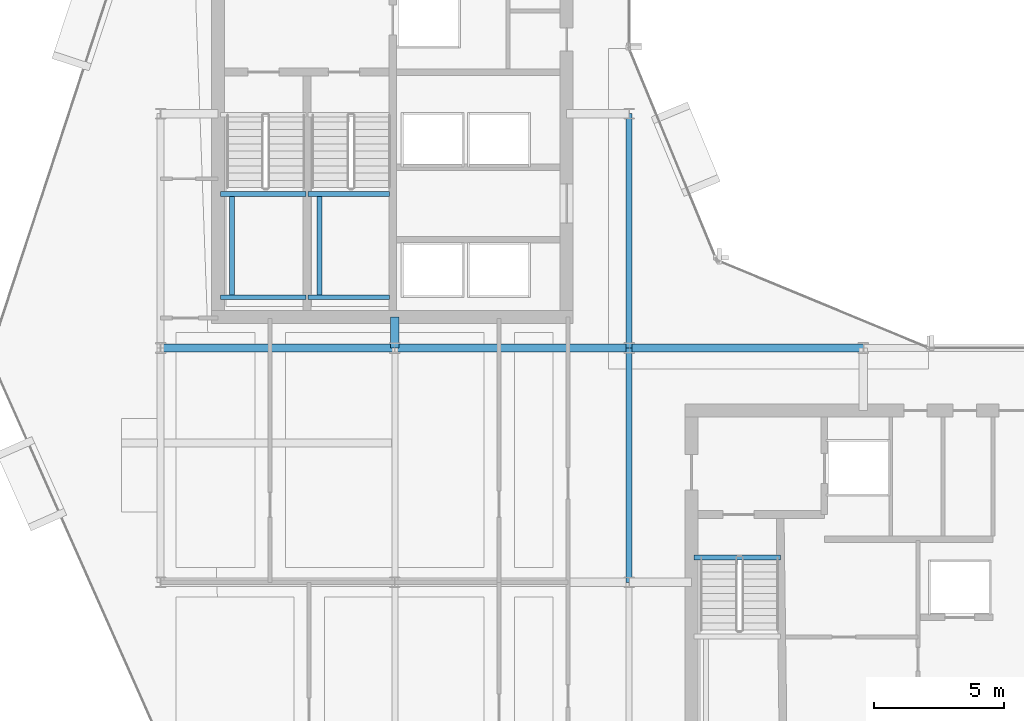
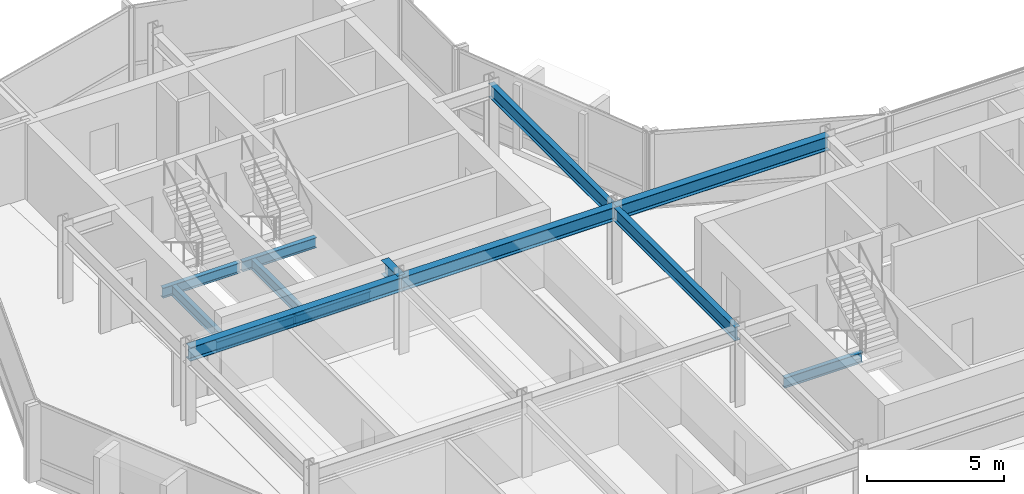
# One storey, part 7 of 27: 13 beams.
"""IFC4 building model written with IfcOpenShell, lengths in metres."""

from ifc_helpers import new_model, si_unit, direction, frame, origin, origin_2d, place, context, subcontext, project, spatial, i_section, extrude, material, material_profile, profile_set, type_object, element, save


model = new_model("IFC4")

# Units and contexts
model_context = context("Model", 3, precision=1e-05, world=origin(), true_north=direction((0.0, 1.0)))
body_context = subcontext(model_context, "Body", "Model", "MODEL_VIEW")
ifc_project = project(units=[si_unit("LENGTHUNIT", "METRE"), si_unit("AREAUNIT", "SQUARE_METRE"), si_unit("VOLUMEUNIT", "CUBIC_METRE"), si_unit("PLANEANGLEUNIT", "RADIAN"), si_unit("MASSUNIT", "GRAM", prefix="KILO")], contexts=[model_context])

# Site, building, storey
site_placement = place(None, origin())
site = spatial("IfcSite", under=ifc_project, at=site_placement, CompositionType="ELEMENT")
building_placement = place(site_placement, origin())
building = spatial("IfcBuilding", under=site, at=building_placement, Name="Solvaryn Broadcast Tower", CompositionType="ELEMENT")
storey_placement = place(building_placement, frame((0.0, 0.0, 189.0)))
storey = spatial("IfcBuildingStorey", under=building, at=storey_placement, Name="L47", CompositionType="ELEMENT", Elevation=189.0)

# Beams
ifc_material_1 = material(Name="Steel ASTM A992 Grade 50", Category="steel")
ifc_material_profile_1 = material_profile(ifc_material_1, i_section(OverallWidth=0.323974609375, OverallDepth=0.611083984375, WebThickness=0.0126953125, FlangeThickness=0.01904296875, FilletRadius=0.014892578125, at=origin_2d()))
ifc_profile_set_1 = profile_set([ifc_material_profile_1], Name="Steel ASTM A992 Grade 50")
beam_type_1 = type_object("IfcBeamType", Name="BM-B1-W24X104", PredefinedType="BEAM", material=ifc_profile_set_1)
for number, where, z_axis, x_axis, name in (
    (1, (9.0, 27.0, 3.114501953125), (1.0, 0.0, 0.0), (0.0, 1.0, 0.0), "L47 Primary Beam X (9-18 @ Y=27)"),
    (2, (18.0, 27.0, 3.114501953125), (1.0, 0.0, 0.0), (0.0, 1.0, 0.0), "L47 Primary Beam X (18-27 @ Y=27)"),
    (3, (27.0, 27.0, 3.114501953125), (1.0, 0.0, 0.0), (0.0, 1.0, 0.0), "L47 Primary Beam X (27-36 @ Y=27)"),
):
    element("IfcBeam", number, at=place(storey_placement, frame(where, z_axis=z_axis, x_axis=x_axis)), inside=storey, type_object=beam_type_1, Name=name, PredefinedType="BEAM", context=body_context, shape_type="SweptSolid", body=[
        extrude(i_section(OverallWidth=0.323974609375, OverallDepth=0.611083984375, WebThickness=0.0126953125, FlangeThickness=0.01904296875, FilletRadius=0.014892578125, at=origin_2d()), origin(), (0.0, 0.0, 1.0), 9.0),
    ])
beam_1_placement = place(storey_placement, frame((18.0, 27.0, 3.114501953125), z_axis=(0.0, 1.0, 0.0), x_axis=(-1.0, 0.0, 0.0)))
element("IfcBeam", 4, at=beam_1_placement, inside=storey, type_object=beam_type_1, Name="L47 Core Tie Beam CTW4", PredefinedType="BEAM", context=body_context, shape_type="SweptSolid", body=[
    extrude(i_section(OverallWidth=0.323974609375, OverallDepth=0.611083984375, WebThickness=0.0126953125, FlangeThickness=0.01904296875, FilletRadius=0.014892578125, at=origin_2d()), origin(), (0.0, 0.0, 1.0), 1.199951171875),
])
ifc_material_2 = material(Name="Steel ASTM A992 Grade 50", Category="steel")
ifc_material_profile_2 = material_profile(ifc_material_2, i_section(OverallWidth=0.22802734375, OverallDepth=0.60791015625, WebThickness=0.01123046875, FlangeThickness=0.017333984375, FilletRadius=0.014892578125, at=origin_2d()))
ifc_profile_set_2 = profile_set([ifc_material_profile_2], Name="Steel ASTM A992 Grade 50")
beam_type_2 = type_object("IfcBeamType", Name="BM-B2-W24X76", PredefinedType="BEAM", material=ifc_profile_set_2)
for number, where, z_axis, x_axis, name in (
    (5, (27.0, 18.0, 3.115966796875), (0.0, 1.0, 0.0), (-1.0, 0.0, 0.0), "L47 Primary Beam Y (18-27 @ X=27)"),
    (6, (27.0, 27.0, 3.115966796875), (0.0, 1.0, 0.0), (-1.0, 0.0, 0.0), "L47 Primary Beam Y (27-36 @ X=27)"),
):
    element("IfcBeam", number, at=place(storey_placement, frame(where, z_axis=z_axis, x_axis=x_axis)), inside=storey, type_object=beam_type_2, Name=name, PredefinedType="BEAM", context=body_context, shape_type="SweptSolid", body=[
        extrude(i_section(OverallWidth=0.22802734375, OverallDepth=0.60791015625, WebThickness=0.01123046875, FlangeThickness=0.017333984375, FilletRadius=0.014892578125, at=origin_2d()), origin(), (0.0, 0.0, 1.0), 9.0),
    ])
ifc_material_3 = material(Name="Steel ASTM A992 Grade 50", Category="steel")
ifc_material_profile_3 = material_profile(ifc_material_3, i_section(OverallWidth=0.18994140625, OverallDepth=0.45703125, WebThickness=0.009033203125, FlangeThickness=0.014404296875, FilletRadius=0.011962890625, at=origin_2d()))
ifc_profile_set_3 = profile_set([ifc_material_profile_3], Name="Steel ASTM A992 Grade 50")
beam_type_3 = type_object("IfcBeamType", Name="BM-B4-W18X50", PredefinedType="BEAM", material=ifc_profile_set_3)
for number, where, z_axis, x_axis, name in (
    (7, (11.300048828125, 28.949951171875, 1.42138671875), (1.0, 0.0, 0.0), (0.0, 1.0, 0.0), "L47 ST1 Landing Support Beam 1A"),
    (8, (11.300048828125, 32.909912109375, 1.42138671875), (1.0, 0.0, 0.0), (0.0, 1.0, 0.0), "L47 ST1 Landing Support Beam 1B"),
):
    element("IfcBeam", number, at=place(storey_placement, frame(where, z_axis=z_axis, x_axis=x_axis)), inside=storey, type_object=beam_type_3, Name=name, PredefinedType="BEAM", context=body_context, shape_type="SweptSolid", body=[
        extrude(i_section(OverallWidth=0.18994140625, OverallDepth=0.45703125, WebThickness=0.009033203125, FlangeThickness=0.014404296875, FilletRadius=0.011962890625, at=origin_2d()), origin(), (0.0, 0.0, 1.0), 3.280029296875),
    ])
beam_2_placement = place(storey_placement, frame((11.75, 28.949951171875, 1.42138671875), z_axis=(0.0, 1.0, 0.0), x_axis=(-1.0, 0.0, 0.0)))
element("IfcBeam", 9, at=beam_2_placement, inside=storey, type_object=beam_type_3, Name="L47 ST1 Landing Cross Stringer 1C", PredefinedType="BEAM", context=body_context, shape_type="SweptSolid", body=[
    extrude(i_section(OverallWidth=0.18994140625, OverallDepth=0.45703125, WebThickness=0.009033203125, FlangeThickness=0.014404296875, FilletRadius=0.011962890625, at=origin_2d()), origin(), (0.0, 0.0, 1.0), 3.9599609375),
])
for number, where, z_axis, x_axis, name in (
    (10, (14.659912109375, 28.949951171875, 1.42138671875), (1.0, 0.0, 0.0), (0.0, 1.0, 0.0), "L47 ST2 Landing Support Beam 1A"),
    (11, (14.659912109375, 32.909912109375, 1.42138671875), (1.0, 0.0, 0.0), (0.0, 1.0, 0.0), "L47 ST2 Landing Support Beam 1B"),
):
    element("IfcBeam", number, at=place(storey_placement, frame(where, z_axis=z_axis, x_axis=x_axis)), inside=storey, type_object=beam_type_3, Name=name, PredefinedType="BEAM", context=body_context, shape_type="SweptSolid", body=[
        extrude(i_section(OverallWidth=0.18994140625, OverallDepth=0.45703125, WebThickness=0.009033203125, FlangeThickness=0.014404296875, FilletRadius=0.011962890625, at=origin_2d()), origin(), (0.0, 0.0, 1.0), 3.14013671875),
    ])
beam_3_placement = place(storey_placement, frame((15.110107421875, 28.949951171875, 1.42138671875), z_axis=(0.0, 1.0, 0.0), x_axis=(-1.0, 0.0, 0.0)))
element("IfcBeam", 12, at=beam_3_placement, inside=storey, type_object=beam_type_3, Name="L47 ST2 Landing Cross Stringer 1C", PredefinedType="BEAM", context=body_context, shape_type="SweptSolid", body=[
    extrude(i_section(OverallWidth=0.18994140625, OverallDepth=0.45703125, WebThickness=0.009033203125, FlangeThickness=0.014404296875, FilletRadius=0.011962890625, at=origin_2d()), origin(), (0.0, 0.0, 1.0), 3.9599609375),
])
beam_4_placement = place(storey_placement, frame((29.5, 18.9599609375, -0.508544921875), z_axis=(1.0, 0.0, 0.0), x_axis=(0.0, 1.0, 0.0)))
element("IfcBeam", 13, at=beam_4_placement, inside=storey, type_object=beam_type_3, Name="L47 ST3 Stair Well Trimmer Beam", PredefinedType="BEAM", context=body_context, shape_type="SweptSolid", body=[
    extrude(i_section(OverallWidth=0.18994140625, OverallDepth=0.45703125, WebThickness=0.009033203125, FlangeThickness=0.014404296875, FilletRadius=0.011962890625, at=origin_2d()), origin(), (0.0, 0.0, 1.0), 3.320068359375),
])

save(model, "model.ifc")
